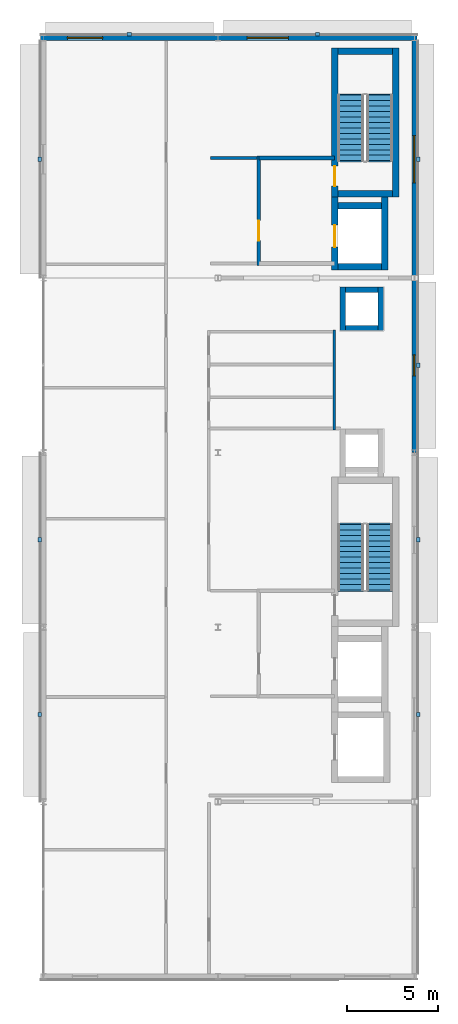
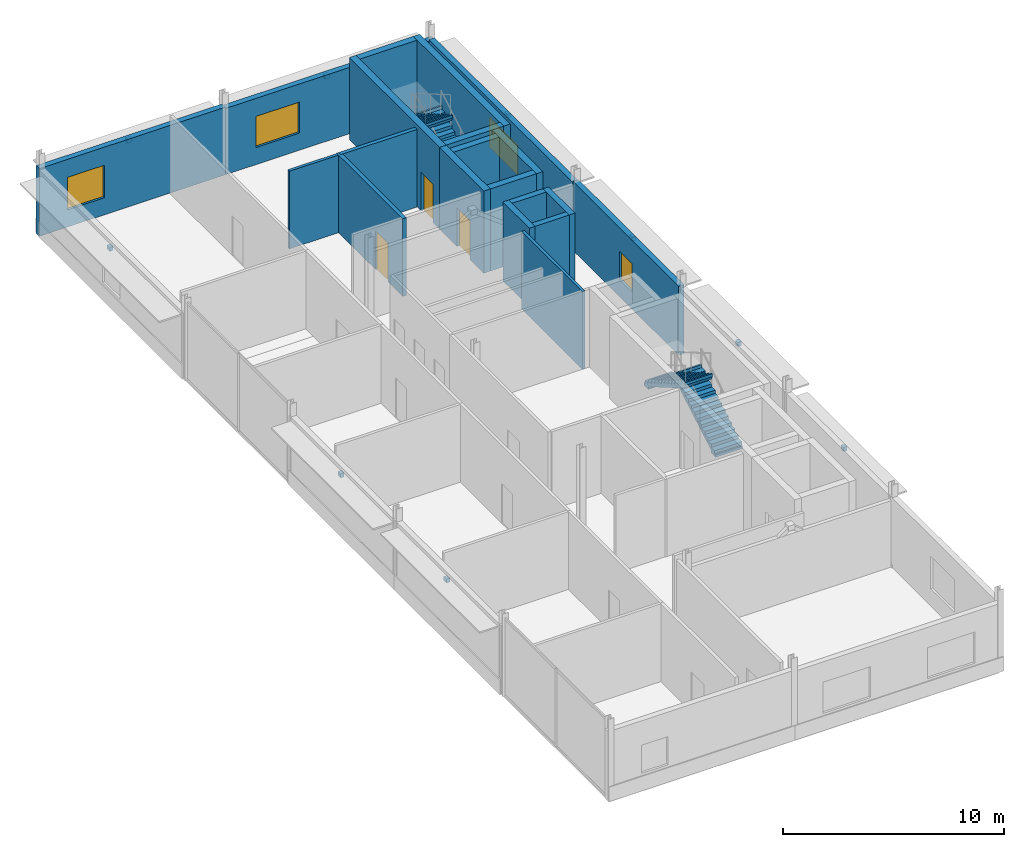
# One storey, part 8 of 10: 20 walls, 9 discrete accessories, 4 stair flights, 4 windows, 3 doors, 7 openings, 2 elements without a shape of their own.
"""IFC4 building model written with IfcOpenShell, lengths in metres."""

from ifc_helpers import new_model, si_unit, direction, frame, frame_2d, origin, origin_2d, place, context, subcontext, project, spatial, polyline, rectangle, outline, extrude, material, layer, layer_set, type_object, element, fill, aggregate, save


model = new_model("IFC4")

# Units and contexts
model_context = context("Model", 3, precision=1e-05, world=origin(), true_north=direction((0.0, 1.0)))
body_context = subcontext(model_context, "Body", "Model", "MODEL_VIEW")
ifc_project = project(units=[si_unit("LENGTHUNIT", "METRE"), si_unit("AREAUNIT", "SQUARE_METRE"), si_unit("VOLUMEUNIT", "CUBIC_METRE"), si_unit("PLANEANGLEUNIT", "RADIAN"), si_unit("MASSUNIT", "GRAM", prefix="KILO")], contexts=[model_context])

# Site, building, storey
site_placement = place(None, origin())
site = spatial("IfcSite", under=ifc_project, at=site_placement, CompositionType="ELEMENT")
building_placement = place(site_placement, origin())
building = spatial("IfcBuilding", under=site, at=building_placement, Name="Almandine Court Research Institute", CompositionType="ELEMENT")
storey_placement = place(building_placement, frame((0.0, 0.0, 41.64990234375)))
storey = spatial("IfcBuildingStorey", under=building, at=storey_placement, Name="L09", CompositionType="ELEMENT", Elevation=41.64990234375)

# Wall, opening, window
ifc_material_1 = material(Name="Insulated Ochre Terracotta Rainscreen Wall", Category="masonry")
ifc_layer_1 = layer(ifc_material_1, 0.2900390625)
ifc_layer_set_1 = layer_set([ifc_layer_1], Name="Insulated Ochre Terracotta Rainscreen Wall")
wall_type_1 = type_object("IfcWallType", Name="Wall-EXT-TERR-290", PredefinedType="SOLIDWALL", material=ifc_layer_set_1)
wall_1_placement = place(storey_placement, frame((153.455078125, 57.60009765625, 0.0), z_axis=(0.0, 0.0, 1.0), x_axis=(1.0, 0.0, 0.0)))
wall_1 = element("IfcWall", 1, at=wall_1_placement, inside=storey, type_object=wall_type_1, Name="L09 Wet Lab North Wall 1", PredefinedType="SOLIDWALL", context=body_context, shape_type="SweptSolid", body=[
    extrude(rectangle(XDim=9.740966796875, YDim=0.2900390625, at=frame_2d((4.87060546875, 0.0))), origin(), (0.0, 0.0, 1.0), 3.748046875),
])
opening_1_placement = place(wall_1_placement, frame((1.469970703125, 0.0, 0.949951171875)))
opening_1 = element("IfcOpeningElement", 2, at=opening_1_placement, cuts=wall_1, Name="Opening WN-82", PredefinedType="OPENING", context=body_context, shape_type="SweptSolid", body=[
    extrude(rectangle(XDim=1.929931640625, YDim=1.800048828125, at=frame_2d((0.96484375, 0.89990234375))), frame((0.0, 0.155029296875, 0.0), z_axis=(0.0, -1.0, 0.0), x_axis=(1.0, 0.0, 0.0)), (0.0, 0.0, 1.0), 0.31005859375),
])
ifc_material_2 = material(Name="Thermally Broken Low-E Double-Glazed Window", Category="glass")
window_type_1 = type_object("IfcWindowType", Name="Win-WN-82-1930x1800", PartitioningType="SINGLE_PANEL", PredefinedType="WINDOW", material=ifc_material_2)
window_1_placement = place(opening_1_placement, origin())
window_1 = element("IfcWindow", 3, at=window_1_placement, inside=storey, type_object=window_type_1, Name="L09 Modular Recessed Low-E Window 195", OverallHeight=1.800048828125, OverallWidth=1.929931640625, PartitioningType="SINGLE_PANEL", PredefinedType="WINDOW", context=body_context, shape_type="SweptSolid", body=[
    extrude(rectangle(XDim=1.929931640625, YDim=1.800048828125, at=frame_2d((0.96484375, 0.89990234375))), frame((0.0, 0.030029296875, 0.0), z_axis=(0.0, -1.0, 0.0), x_axis=(1.0, 0.0, 0.0)), (0.0, 0.0, 1.0), 0.06005859375),
])
fill(opening_1, window_1)

wall_2_placement = place(storey_placement, frame((163.2041015625, 57.60009765625, 0.0), z_axis=(0.0, 0.0, 1.0), x_axis=(1.0, 0.0, 0.0)))
wall_2 = element("IfcWall", 4, at=wall_2_placement, inside=storey, type_object=wall_type_1, Name="L09 Wet Lab North Wall 2", PredefinedType="SOLIDWALL", context=body_context, shape_type="SweptSolid", body=[
    extrude(rectangle(XDim=10.94091796875, YDim=0.2900390625, at=frame_2d((5.470458984375, 0.0))), origin(), (0.0, 0.0, 1.0), 3.670166015625),
])
opening_2_placement = place(wall_2_placement, frame((1.60498046875, 0.0, 0.949951171875)))
opening_2 = element("IfcOpeningElement", 5, at=opening_2_placement, cuts=wall_2, Name="Opening WN-07", PredefinedType="OPENING", context=body_context, shape_type="SweptSolid", body=[
    extrude(rectangle(XDim=2.260009765625, YDim=1.719970703125, at=frame_2d((1.1298828125, 0.85986328125))), frame((0.0, 0.155029296875, 0.0), z_axis=(0.0, -1.0, 0.0), x_axis=(1.0, 0.0, 0.0)), (0.0, 0.0, 1.0), 0.31005859375),
])
window_type_2 = type_object("IfcWindowType", Name="Win-WN-07-2260x1720", PartitioningType="SINGLE_PANEL", PredefinedType="WINDOW", material=ifc_material_2)
window_2_placement = place(opening_2_placement, origin())
window_2 = element("IfcWindow", 6, at=window_2_placement, inside=storey, type_object=window_type_2, Name="L09 Modular Recessed Low-E Window 196", OverallHeight=1.719970703125, OverallWidth=2.260009765625, PartitioningType="SINGLE_PANEL", PredefinedType="WINDOW", context=body_context, shape_type="SweptSolid", body=[
    extrude(rectangle(XDim=2.260009765625, YDim=1.719970703125, at=frame_2d((1.1298828125, 0.85986328125))), frame((0.0, 0.030029296875, 0.0), z_axis=(0.0, -1.0, 0.0), x_axis=(1.0, 0.0, 0.0)), (0.0, 0.0, 1.0), 0.06005859375),
])
fill(opening_2, window_2)

wall_3_placement = place(storey_placement, frame((174.0, 57.450927734375, 0.0), z_axis=(0.0, 0.0, 1.0), x_axis=(0.0, -1.0, 0.0)))
wall_3 = element("IfcWall", 7, at=wall_3_placement, inside=storey, type_object=wall_type_1, Name="L09 Wet Lab East Facade Wall 5", PredefinedType="SOLIDWALL", context=body_context, shape_type="SweptSolid", body=[
    extrude(rectangle(XDim=13.046875, YDim=0.2900390625, at=frame_2d((6.5234375, 0.0))), origin(), (0.0, 0.0, 1.0), 3.754150390625),
])
opening_3_placement = place(wall_3_placement, frame((5.22802734375, 0.0, 0.949951171875)))
opening_3 = element("IfcOpeningElement", 8, at=opening_3_placement, cuts=wall_3, Name="Opening WN-72", PredefinedType="OPENING", context=body_context, shape_type="SweptSolid", body=[
    extrude(rectangle(XDim=2.590087890625, YDim=1.639892578125, at=frame_2d((1.294921875, 0.81982421875))), frame((0.0, 0.155029296875, 0.0), z_axis=(0.0, -1.0, 0.0), x_axis=(1.0, 0.0, 0.0)), (0.0, 0.0, 1.0), 0.31005859375),
])
window_type_3 = type_object("IfcWindowType", Name="Win-WN-72-2590x1640", PartitioningType="SINGLE_PANEL", PredefinedType="WINDOW", material=ifc_material_2)
window_3_placement = place(opening_3_placement, origin())
window_3 = element("IfcWindow", 9, at=window_3_placement, inside=storey, type_object=window_type_3, Name="L09 Modular Recessed Low-E Window 197", OverallHeight=1.639892578125, OverallWidth=2.590087890625, PartitioningType="SINGLE_PANEL", PredefinedType="WINDOW", context=body_context, shape_type="SweptSolid", body=[
    extrude(rectangle(XDim=2.590087890625, YDim=1.639892578125, at=frame_2d((1.294921875, 0.81982421875))), frame((0.0, 0.030029296875, 0.0), z_axis=(0.0, -1.0, 0.0), x_axis=(1.0, 0.0, 0.0)), (0.0, 0.0, 1.0), 0.06005859375),
])
fill(opening_3, window_3)

wall_4_placement = place(storey_placement, frame((174.0, 44.39599609375, 0.0), z_axis=(0.0, 0.0, 1.0), x_axis=(0.0, -1.0, 0.0)))
wall_4 = element("IfcWall", 10, at=wall_4_placement, inside=storey, type_object=wall_type_1, Name="L09 Wet Lab East Facade Wall 4", PredefinedType="SOLIDWALL", context=body_context, shape_type="SweptSolid", body=[
    extrude(rectangle(XDim=9.592041015625, YDim=0.2900390625, at=frame_2d((4.7958984375, 0.0))), origin(), (0.0, 0.0, 1.0), 3.822021484375),
])
opening_4_placement = place(wall_4_placement, frame((4.216064453125, 0.0, 0.949951171875)))
opening_4 = element("IfcOpeningElement", 11, at=opening_4_placement, cuts=wall_4, Name="Opening WN-08", PredefinedType="OPENING", context=body_context, shape_type="SweptSolid", body=[
    extrude(rectangle(XDim=1.159912109375, YDim=1.56005859375, at=frame_2d((0.580078125, 0.780029296875))), frame((0.0, 0.155029296875, 0.0), z_axis=(0.0, -1.0, 0.0), x_axis=(1.0, 0.0, 0.0)), (0.0, 0.0, 1.0), 0.31005859375),
])
window_type_4 = type_object("IfcWindowType", Name="Win-WN-08-1160x1560", PartitioningType="SINGLE_PANEL", PredefinedType="WINDOW", material=ifc_material_2)
window_4_placement = place(opening_4_placement, origin())
window_4 = element("IfcWindow", 12, at=window_4_placement, inside=storey, type_object=window_type_4, Name="L09 Modular Recessed Low-E Window 198", OverallHeight=1.56005859375, OverallWidth=1.159912109375, PartitioningType="SINGLE_PANEL", PredefinedType="WINDOW", context=body_context, shape_type="SweptSolid", body=[
    extrude(rectangle(XDim=1.159912109375, YDim=1.56005859375, at=frame_2d((0.580078125, 0.780029296875))), frame((0.0, 0.030029296875, 0.0), z_axis=(0.0, -1.0, 0.0), x_axis=(1.0, 0.0, 0.0)), (0.0, 0.0, 1.0), 0.06005859375),
])
fill(opening_4, window_4)

# Wall, opening, door
ifc_material_3 = material(Name="Two-Hour Fire-Barrier Enclosure Wall")
ifc_layer_2 = layer(ifc_material_3, 0.199951171875)
ifc_layer_set_2 = layer_set([ifc_layer_2], Name="Two-Hour Fire-Barrier Enclosure Wall")
wall_type_2 = type_object("IfcWallType", Name="Wall-FIRE-200", PredefinedType="SOLIDWALL", material=ifc_layer_set_2)
wall_5_placement = place(storey_placement, frame((165.449951171875, 45.10009765625, 0.0), z_axis=(0.0, 0.0, 1.0), x_axis=(0.0, 1.0, 0.0)))
wall_5 = element("IfcWall", 13, at=wall_5_placement, inside=storey, type_object=wall_type_2, Name="L09 Interior Partition W-FFL2-L09-W", PredefinedType="SOLIDWALL", context=body_context, shape_type="SweptSolid", body=[
    extrude(rectangle(XDim=6.0, YDim=0.199951171875, at=frame_2d((3.0, 0.0))), origin(), (0.0, 0.0, 1.0), 4.300048828125),
])
opening_5_placement = place(wall_5_placement, frame((1.35009765625, 0.0, 0.0)))
opening_5 = element("IfcOpeningElement", 14, at=opening_5_placement, cuts=wall_5, Name="Opening FD-FFL", PredefinedType="OPENING", context=body_context, shape_type="SweptSolid", body=[
    extrude(rectangle(XDim=1.10009765625, YDim=2.14990234375, at=frame_2d((0.550048828125, 1.074951171875))), frame((0.0, 0.10986328125, 0.0), z_axis=(0.0, -1.0, 0.0), x_axis=(1.0, 0.0, 0.0)), (0.0, 0.0, 1.0), 0.219970703125),
])
ifc_material_4 = material(Name="Smoke-Tight Firefighting Lobby Fire Door")
door_type_1 = type_object("IfcDoorType", Name="Door-FD-FFL-1100", OperationType="NOTDEFINED", PredefinedType="DOOR", material=ifc_material_4)
door_1_placement = place(opening_5_placement, origin())
door_1 = element("IfcDoor", 15, at=door_1_placement, inside=storey, type_object=door_type_1, Name="L09 Firefighting Lobby Fire Door 2", OperationType="SINGLE_SWING_LEFT", OverallHeight=2.14990234375, OverallWidth=1.10009765625, PredefinedType="DOOR", context=body_context, shape_type="SweptSolid", body=[
    extrude(rectangle(XDim=1.10009765625, YDim=2.14990234375, at=frame_2d((0.550048828125, 1.074951171875))), frame((0.0, 0.02490234375, 0.0), z_axis=(0.0, -1.0, 0.0), x_axis=(1.0, 0.0, 0.0)), (0.0, 0.0, 1.0), 0.050048828125),
])
fill(opening_5, door_1)

# Walls
wall_6_placement = place(storey_placement, frame((165.449951171875, 51.0, 0.0), z_axis=(0.0, 0.0, 1.0), x_axis=(1.0, 0.0, 0.0)))
element("IfcWall", 16, at=wall_6_placement, inside=storey, type_object=wall_type_2, Name="L09 Interior Partition W-FFL2-L09-N", PredefinedType="SOLIDWALL", context=body_context, shape_type="SweptSolid", body=[
    extrude(rectangle(XDim=4.150146484375, YDim=0.199951171875, at=frame_2d((2.0751953125, 0.0))), origin(), (0.0, 0.0, 1.0), 4.300048828125),
])
ifc_material_5 = material(Name="Acoustic Steel-Stud Gypsum Partition Wall", Category="steel")
ifc_layer_3 = layer(ifc_material_5, 0.14990234375)
ifc_layer_set_3 = layer_set([ifc_layer_3], Name="Acoustic Steel-Stud Gypsum Partition Wall")
wall_type_3 = type_object("IfcWallType", Name="Wall-PART-150", PredefinedType="PARTITIONING", material=ifc_layer_set_3)
wall_7_placement = place(storey_placement, frame((169.60009765625, 36.050048828125, 0.0), z_axis=(0.0, 0.0, 1.0), x_axis=(0.0, 1.0, 0.0)))
element("IfcWall", 17, at=wall_7_placement, inside=storey, type_object=wall_type_3, Name="L09 Interior Partition W-V4-L09-WCEAST", PredefinedType="PARTITIONING", context=body_context, shape_type="SweptSolid", body=[
    extrude(rectangle(XDim=5.5, YDim=0.14990234375, at=frame_2d((2.75, 0.0))), origin(), (0.0, 0.0, 1.0), 4.300048828125),
])
wall_8_placement = place(storey_placement, frame((162.780029296875, 51.0, 0.0), z_axis=(0.0, 0.0, 1.0), x_axis=(1.0, 0.0, 0.0)))
element("IfcWall", 18, at=wall_8_placement, inside=storey, type_object=wall_type_3, Name="L09 Interior Partition W-V4-L09-FFL2-CN", PredefinedType="PARTITIONING", context=body_context, shape_type="SweptSolid", body=[
    extrude(rectangle(XDim=2.570068359375, YDim=0.14990234375, at=frame_2d((1.28515625, 0.0))), origin(), (0.0, 0.0, 1.0), 4.300048828125),
])
ifc_material_6 = material(Name="Concrete C40/50", Category="concrete")
ifc_layer_4 = layer(ifc_material_6, 0.300048828125)
ifc_layer_set_4 = layer_set([ifc_layer_4], Name="Concrete C40/50")
wall_type_4 = type_object("IfcWallType", Name="Wall-SW-CORE-300", PredefinedType="SHEAR", material=ifc_layer_set_4)
wall_9_placement = place(storey_placement, frame((170.050048828125, 41.5, 0.0), z_axis=(0.0, 0.0, 1.0), x_axis=(0.0, 1.0, 0.0)))
element("IfcWall", 19, at=wall_9_placement, inside=storey, type_object=wall_type_4, Name="L09 MEP Riser RS-V4B W Shear Wall", PredefinedType="SHEAR", context=body_context, shape_type="SweptSolid", body=[
    extrude(rectangle(XDim=2.39990234375, YDim=0.300048828125, at=frame_2d((1.199951171875, 0.0))), origin(), (0.0, 0.0, 1.0), 4.3701171875),
])
wall_10_placement = place(storey_placement, frame((170.199951171875, 43.75, 0.0), z_axis=(0.0, 0.0, 1.0), x_axis=(1.0, 0.0, 0.0)))
element("IfcWall", 20, at=wall_10_placement, inside=storey, type_object=wall_type_4, Name="L09 MEP Riser RS-V4B N Shear Wall", PredefinedType="SHEAR", context=body_context, shape_type="SweptSolid", body=[
    extrude(rectangle(XDim=1.800048828125, YDim=0.300048828125, at=frame_2d((0.89990234375, 0.0))), origin(), (0.0, 0.0, 1.0), 4.3701171875),
])
wall_11_placement = place(storey_placement, frame((172.14990234375, 43.89990234375, 0.0), z_axis=(0.0, 0.0, 1.0), x_axis=(0.0, -1.0, 0.0)))
element("IfcWall", 21, at=wall_11_placement, inside=storey, type_object=wall_type_4, Name="L09 MEP Riser RS-V4B E Shear Wall", PredefinedType="SHEAR", context=body_context, shape_type="SweptSolid", body=[
    extrude(rectangle(XDim=2.39990234375, YDim=0.300048828125, at=frame_2d((1.199951171875, 0.0))), origin(), (0.0, 0.0, 1.0), 4.3701171875),
])
wall_12_placement = place(storey_placement, frame((172.0, 41.64990234375, 0.0), z_axis=(0.0, 0.0, 1.0), x_axis=(-1.0, 0.0, 0.0)))
element("IfcWall", 22, at=wall_12_placement, inside=storey, type_object=wall_type_4, Name="L09 MEP Riser RS-V4B S Shear Wall", PredefinedType="SHEAR", context=body_context, shape_type="SweptSolid", body=[
    extrude(rectangle(XDim=1.800048828125, YDim=0.300048828125, at=frame_2d((0.89990234375, 0.0))), origin(), (0.0, 0.0, 1.0), 4.3701171875),
])

# Wall, opening, door
ifc_layer_5 = layer(ifc_material_6, 0.35009765625)
ifc_layer_set_5 = layer_set([ifc_layer_5], Name="Concrete C40/50")
wall_type_5 = type_object("IfcWallType", Name="Wall-SW-CORE-350", PredefinedType="SHEAR", material=ifc_layer_set_5)
wall_13_placement = place(storey_placement, frame((169.625, 48.85009765625, 0.0), z_axis=(0.0, 0.0, 1.0), x_axis=(0.0, 1.0, 0.0)))
wall_13 = element("IfcWall", 23, at=wall_13_placement, inside=storey, type_object=wall_type_5, Name="L09 ST-08 W Shear Wall", PredefinedType="SHEAR", context=body_context, shape_type="SweptSolid", body=[
    extrude(rectangle(XDim=8.199951171875, YDim=0.35009765625, at=frame_2d((4.10009765625, 0.0))), origin(), (0.0, 0.0, 1.0), 4.550048828125),
])
opening_6_placement = place(wall_13_placement, frame((0.60009765625, 0.0, 0.0)))
opening_6 = element("IfcOpeningElement", 24, at=opening_6_placement, cuts=wall_13, Name="Opening FD-STAIR", PredefinedType="OPENING", context=body_context, shape_type="SweptSolid", body=[
    extrude(rectangle(XDim=1.10009765625, YDim=2.14990234375, at=frame_2d((0.550048828125, 1.074951171875))), frame((0.0, 0.18505859375, 0.0), z_axis=(0.0, -1.0, 0.0), x_axis=(1.0, 0.0, 0.0)), (0.0, 0.0, 1.0), 0.3701171875),
])
ifc_material_7 = material(Name="Self-Closing Steel Exit Stair Fire Door", Category="steel")
door_type_2 = type_object("IfcDoorType", Name="Door-FD-STAIR-1100", OperationType="NOTDEFINED", PredefinedType="DOOR", material=ifc_material_7)
door_2_placement = place(opening_6_placement, origin())
door_2 = element("IfcDoor", 25, at=door_2_placement, inside=storey, type_object=door_type_2, Name="L09 Exit Stair ST-08 Fire Door", OperationType="SINGLE_SWING_RIGHT", OverallHeight=2.14990234375, OverallWidth=1.10009765625, PredefinedType="DOOR", context=body_context, shape_type="SweptSolid", body=[
    extrude(rectangle(XDim=1.10009765625, YDim=2.14990234375, at=frame_2d((0.550048828125, 1.074951171875))), frame((0.0, 0.02490234375, 0.0), z_axis=(0.0, -1.0, 0.0), x_axis=(1.0, 0.0, 0.0)), (0.0, 0.0, 1.0), 0.050048828125),
])
fill(opening_6, door_2)

# Walls
wall_14_placement = place(storey_placement, frame((169.800048828125, 56.875, 0.0), z_axis=(0.0, 0.0, 1.0), x_axis=(1.0, 0.0, 0.0)))
element("IfcWall", 26, at=wall_14_placement, inside=storey, type_object=wall_type_5, Name="L09 ST-08 N Shear Wall", PredefinedType="SHEAR", context=body_context, shape_type="SweptSolid", body=[
    extrude(rectangle(XDim=3.0, YDim=0.35009765625, at=frame_2d((1.5, 0.0))), origin(), (0.0, 0.0, 1.0), 4.550048828125),
])
wall_15_placement = place(storey_placement, frame((172.97509765625, 57.050048828125, 0.0), z_axis=(0.0, 0.0, 1.0), x_axis=(0.0, -1.0, 0.0)))
element("IfcWall", 27, at=wall_15_placement, inside=storey, type_object=wall_type_5, Name="L09 ST-08 E Shear Wall", PredefinedType="SHEAR", context=body_context, shape_type="SweptSolid", body=[
    extrude(rectangle(XDim=8.199951171875, YDim=0.35009765625, at=frame_2d((4.10009765625, 0.0))), origin(), (0.0, 0.0, 1.0), 4.550048828125),
])
wall_16_placement = place(storey_placement, frame((172.800048828125, 49.02490234375, 0.0), z_axis=(0.0, 0.0, 1.0), x_axis=(-1.0, 0.0, 0.0)))
element("IfcWall", 28, at=wall_16_placement, inside=storey, type_object=wall_type_5, Name="L09 ST-08 S Shear Wall", PredefinedType="SHEAR", context=body_context, shape_type="SweptSolid", body=[
    extrude(rectangle(XDim=3.0, YDim=0.35009765625, at=frame_2d((1.5, 0.0))), origin(), (0.0, 0.0, 1.0), 4.550048828125),
])

# Wall, opening, door
wall_17_placement = place(storey_placement, frame((169.625, 44.85009765625, 0.0), z_axis=(0.0, 0.0, 1.0), x_axis=(0.0, 1.0, 0.0)))
wall_17 = element("IfcWall", 29, at=wall_17_placement, inside=storey, type_object=wall_type_5, Name="L09 FL-02 Hoistway W Shear Wall", PredefinedType="SHEAR", context=body_context, shape_type="SweptSolid", body=[
    extrude(rectangle(XDim=4.0, YDim=0.35009765625, at=frame_2d((2.0, 0.0))), origin(), (0.0, 0.0, 1.0), 4.550048828125),
])
opening_7_placement = place(wall_17_placement, frame((1.25, 0.0, 0.0)))
opening_7 = element("IfcOpeningElement", 30, at=opening_7_placement, cuts=wall_17, Name="Opening LD-02", PredefinedType="OPENING", context=body_context, shape_type="SweptSolid", body=[
    extrude(rectangle(XDim=1.199951171875, YDim=2.14990234375, at=frame_2d((0.60009765625, 1.074951171875))), frame((0.0, 0.18505859375, 0.0), z_axis=(0.0, -1.0, 0.0), x_axis=(1.0, 0.0, 0.0)), (0.0, 0.0, 1.0), 0.3701171875),
])
ifc_material_8 = material(Name="Firefighting Lift Landing Sliding Door")
door_type_3 = type_object("IfcDoorType", Name="Door-LD-FSAE-1200", OperationType="SLIDING_TO_LEFT", PredefinedType="USERDEFINED", material=ifc_material_8)
door_3_placement = place(opening_7_placement, origin())
door_3 = element("IfcDoor", 31, at=door_3_placement, inside=storey, type_object=door_type_3, Name="L09 Firefighting Lift FL-02 Sliding Landing Door", ObjectType="LANDING DOOR", OperationType="SLIDING_TO_LEFT", OverallHeight=2.14990234375, OverallWidth=1.199951171875, PredefinedType="USERDEFINED", context=body_context, shape_type="SweptSolid", body=[
    extrude(rectangle(XDim=1.199951171875, YDim=2.14990234375, at=frame_2d((0.60009765625, 1.074951171875))), frame((0.0, 0.02490234375, 0.0), z_axis=(0.0, -1.0, 0.0), x_axis=(1.0, 0.0, 0.0)), (0.0, 0.0, 1.0), 0.050048828125),
])
fill(opening_7, door_3)

# Walls
wall_18_placement = place(storey_placement, frame((169.800048828125, 48.375, 0.0), z_axis=(0.0, 0.0, 1.0), x_axis=(1.0, 0.0, 0.0)))
element("IfcWall", 32, at=wall_18_placement, inside=storey, type_object=wall_type_5, Name="L09 FL-02 Hoistway N Shear Wall", PredefinedType="SHEAR", context=body_context, shape_type="SweptSolid", body=[
    extrude(rectangle(XDim=2.39990234375, YDim=0.35009765625, at=frame_2d((1.199951171875, 0.0))), origin(), (0.0, 0.0, 1.0), 4.550048828125),
])
wall_19_placement = place(storey_placement, frame((172.375, 48.85009765625, 0.0), z_axis=(0.0, 0.0, 1.0), x_axis=(0.0, -1.0, 0.0)))
element("IfcWall", 33, at=wall_19_placement, inside=storey, type_object=wall_type_5, Name="L09 FL-02 Hoistway E Shear Wall", PredefinedType="SHEAR", context=body_context, shape_type="SweptSolid", body=[
    extrude(rectangle(XDim=4.0, YDim=0.35009765625, at=frame_2d((2.0, 0.0))), origin(), (0.0, 0.0, 1.0), 4.550048828125),
])
wall_20_placement = place(storey_placement, frame((172.199951171875, 45.02490234375, 0.0), z_axis=(0.0, 0.0, 1.0), x_axis=(-1.0, 0.0, 0.0)))
element("IfcWall", 34, at=wall_20_placement, inside=storey, type_object=wall_type_5, Name="L09 FL-02 Hoistway S Shear Wall", PredefinedType="SHEAR", context=body_context, shape_type="SweptSolid", body=[
    extrude(rectangle(XDim=2.39990234375, YDim=0.35009765625, at=frame_2d((1.199951171875, 0.0))), origin(), (0.0, 0.0, 1.0), 4.550048828125),
])

# Stair, stair flights
ifc_material_9 = material(Name="Concrete C35/45", Category="concrete")
stair_type = type_object("IfcStairType", Name="Stair-Core-26R", PredefinedType="HALF_TURN_STAIR", material=ifc_material_9)
stair_1_placement = place(storey_placement, origin())
stair_1 = element("IfcStair", 35, at=stair_1_placement, inside=storey, type_object=stair_type, Name="L09 Wet Lab South High-Rise Core Stair", PredefinedType="HALF_TURN_STAIR")
stair_flight_type = type_object("IfcStairFlightType", Name="Flight-Core-26R", PredefinedType="STRAIGHT", material=ifc_material_9)
stair_flight_1_placement = place(storey_placement, frame((172.090087890625, 27.25, 0.0), z_axis=(0.0, 0.0, 1.0), x_axis=(0.0, 1.0, 0.0)))
stair_flight_1 = element("IfcStairFlight", 36, at=stair_flight_1_placement, type_object=stair_flight_type, Name="ST-07 flight 1", NumberOfRisers=13, NumberOfTreads=12, PredefinedType="STRAIGHT", RiserHeight=0.175, TreadLength=0.3, context=body_context, shape_type="SweptSolid", body=[
    extrude(outline(polyline([(-0.080078125, -0.139892578125), (-0.080078125, 0.0), (0.0, 0.0), (0.0, 0.175048828125), (0.300048828125, 0.175048828125), (0.300048828125, 0.35009765625), (0.60009765625, 0.35009765625), (0.60009765625, 0.52490234375), (0.89990234375, 0.52490234375), (0.89990234375, 0.699951171875), (1.199951171875, 0.699951171875), (1.199951171875, 0.875), (1.5, 0.875), (1.5, 1.050048828125), (1.800048828125, 1.050048828125), (1.800048828125, 1.22509765625), (2.10009765625, 1.22509765625), (2.10009765625, 1.39990234375), (2.39990234375, 1.39990234375), (2.39990234375, 1.574951171875), (2.699951171875, 1.574951171875), (2.699951171875, 1.75), (3.0, 1.75), (3.0, 1.925048828125), (3.300048828125, 1.925048828125), (3.300048828125, 2.10009765625), (3.60009765625, 2.10009765625), (3.60009765625, 2.27490234375), (3.679931640625, 2.27490234375), (3.679931640625, 2.114990234375), (3.60009765625, 1.914794921875), (0.3173828125, 0.0), (0.3173828125, -0.139892578125), (-0.080078125, -0.139892578125)])), frame((0.0, 0.7099609375, 0.0), z_axis=(0.0, -1.0, 0.0), x_axis=(1.0, 0.0, 0.0)), (0.0, 0.0, 1.0), 1.419921875),
])
stair_flight_2_placement = place(storey_placement, frame((170.510009765625, 30.85009765625, 2.275146484375), z_axis=(0.0, 0.0, 1.0), x_axis=(0.0, -1.0, 0.0)))
stair_flight_2 = element("IfcStairFlight", 37, at=stair_flight_2_placement, type_object=stair_flight_type, Name="ST-07 flight 2", NumberOfRisers=13, NumberOfTreads=12, PredefinedType="STRAIGHT", RiserHeight=0.175, TreadLength=0.3, context=body_context, shape_type="SweptSolid", body=[
    extrude(outline(polyline([(-0.080078125, -0.139892578125), (-0.080078125, 0.0), (0.0, 0.0), (0.0, 0.175048828125), (0.300048828125, 0.175048828125), (0.300048828125, 0.35009765625), (0.60009765625, 0.35009765625), (0.60009765625, 0.52490234375), (0.89990234375, 0.52490234375), (0.89990234375, 0.699951171875), (1.199951171875, 0.699951171875), (1.199951171875, 0.875), (1.5, 0.875), (1.5, 1.050048828125), (1.800048828125, 1.050048828125), (1.800048828125, 1.22509765625), (2.10009765625, 1.22509765625), (2.10009765625, 1.39990234375), (2.39990234375, 1.39990234375), (2.39990234375, 1.574951171875), (2.699951171875, 1.574951171875), (2.699951171875, 1.75), (3.0, 1.75), (3.0, 1.925048828125), (3.300048828125, 1.925048828125), (3.300048828125, 2.10009765625), (3.60009765625, 2.10009765625), (3.60009765625, 2.27490234375), (3.679931640625, 2.27490234375), (3.679931640625, 2.114990234375), (3.60009765625, 1.914794921875), (0.3173828125, 0.0), (0.3173828125, -0.139892578125), (-0.080078125, -0.139892578125)])), frame((0.0, 0.7099609375, 0.0), z_axis=(0.0, -1.0, 0.0), x_axis=(1.0, 0.0, 0.0)), (0.0, 0.0, 1.0), 1.419921875),
])
aggregate(stair_1, [stair_flight_1, stair_flight_2])

stair_2_placement = place(storey_placement, origin())
stair_2 = element("IfcStair", 38, at=stair_2_placement, inside=storey, type_object=stair_type, Name="L09 Wet Lab Central High-Rise Core Stair", PredefinedType="HALF_TURN_STAIR")
stair_flight_3_placement = place(storey_placement, frame((172.090087890625, 50.85009765625, 0.0), z_axis=(0.0, 0.0, 1.0), x_axis=(0.0, 1.0, 0.0)))
stair_flight_3 = element("IfcStairFlight", 39, at=stair_flight_3_placement, type_object=stair_flight_type, Name="ST-08 flight 1", NumberOfRisers=13, NumberOfTreads=12, PredefinedType="STRAIGHT", RiserHeight=0.175, TreadLength=0.3, context=body_context, shape_type="SweptSolid", body=[
    extrude(outline(polyline([(-0.080078125, -0.139892578125), (-0.080078125, 0.0), (0.0, 0.0), (0.0, 0.175048828125), (0.300048828125, 0.175048828125), (0.300048828125, 0.35009765625), (0.60009765625, 0.35009765625), (0.60009765625, 0.52490234375), (0.89990234375, 0.52490234375), (0.89990234375, 0.699951171875), (1.199951171875, 0.699951171875), (1.199951171875, 0.875), (1.5, 0.875), (1.5, 1.050048828125), (1.800048828125, 1.050048828125), (1.800048828125, 1.22509765625), (2.10009765625, 1.22509765625), (2.10009765625, 1.39990234375), (2.39990234375, 1.39990234375), (2.39990234375, 1.574951171875), (2.699951171875, 1.574951171875), (2.699951171875, 1.75), (3.0, 1.75), (3.0, 1.925048828125), (3.300048828125, 1.925048828125), (3.300048828125, 2.10009765625), (3.60009765625, 2.10009765625), (3.60009765625, 2.27490234375), (3.679931640625, 2.27490234375), (3.679931640625, 2.114990234375), (3.60009765625, 1.914794921875), (0.3173828125, 0.0), (0.3173828125, -0.139892578125), (-0.080078125, -0.139892578125)])), frame((0.0, 0.7099609375, 0.0), z_axis=(0.0, -1.0, 0.0), x_axis=(1.0, 0.0, 0.0)), (0.0, 0.0, 1.0), 1.419921875),
])
stair_flight_4_placement = place(storey_placement, frame((170.510009765625, 54.449951171875, 2.275146484375), z_axis=(0.0, 0.0, 1.0), x_axis=(0.0, -1.0, 0.0)))
stair_flight_4 = element("IfcStairFlight", 40, at=stair_flight_4_placement, type_object=stair_flight_type, Name="ST-08 flight 2", NumberOfRisers=13, NumberOfTreads=12, PredefinedType="STRAIGHT", RiserHeight=0.175, TreadLength=0.3, context=body_context, shape_type="SweptSolid", body=[
    extrude(outline(polyline([(-0.080078125, -0.139892578125), (-0.080078125, 0.0), (0.0, 0.0), (0.0, 0.175048828125), (0.300048828125, 0.175048828125), (0.300048828125, 0.35009765625), (0.60009765625, 0.35009765625), (0.60009765625, 0.52490234375), (0.89990234375, 0.52490234375), (0.89990234375, 0.699951171875), (1.199951171875, 0.699951171875), (1.199951171875, 0.875), (1.5, 0.875), (1.5, 1.050048828125), (1.800048828125, 1.050048828125), (1.800048828125, 1.22509765625), (2.10009765625, 1.22509765625), (2.10009765625, 1.39990234375), (2.39990234375, 1.39990234375), (2.39990234375, 1.574951171875), (2.699951171875, 1.574951171875), (2.699951171875, 1.75), (3.0, 1.75), (3.0, 1.925048828125), (3.300048828125, 1.925048828125), (3.300048828125, 2.10009765625), (3.60009765625, 2.10009765625), (3.60009765625, 2.27490234375), (3.679931640625, 2.27490234375), (3.679931640625, 2.114990234375), (3.60009765625, 1.914794921875), (0.3173828125, 0.0), (0.3173828125, -0.139892578125), (-0.080078125, -0.139892578125)])), frame((0.0, 0.7099609375, 0.0), z_axis=(0.0, -1.0, 0.0), x_axis=(1.0, 0.0, 0.0)), (0.0, 0.0, 1.0), 1.419921875),
])
aggregate(stair_2, [stair_flight_3, stair_flight_4])

# Discrete accessories
ifc_material_10 = material(Name="Galvanised Steel Facade Outrigger Bracket", Category="steel")
ifc_layer_6 = layer(ifc_material_10, 0.219970703125)
ifc_layer_set_6 = layer_set([ifc_layer_6], Name="Galvanised Steel Facade Outrigger Bracket")
discrete_accessory_type = type_object("IfcDiscreteAccessoryType", Name="Acc-CHJ-BRACKET", PredefinedType="BRACKET", material=ifc_layer_set_6)
for number, where, z_axis, x_axis, name in (
    (41, (153.39501953125, 20.39990234375, 3.40087890625), (0.0, 0.0, 1.0), (0.0, 1.0, 0.0), "L09 Chhajja Outrigger Bracket 167"),
    (42, (153.39501953125, 30.0, 3.40087890625), (0.0, 0.0, 1.0), (0.0, 1.0, 0.0), "L09 Chhajja Outrigger Bracket 168"),
    (43, (153.39501953125, 50.927978515625, 3.25), (0.0, 0.0, 1.0), (0.0, 1.0, 0.0), "L09 Chhajja Outrigger Bracket 169"),
    (44, (158.325927734375, 57.804931640625, 3.31787109375), (0.0, 0.0, 1.0), (1.0, 0.0, 0.0), "L09 Chhajja Outrigger Bracket 170"),
    (45, (168.675048828125, 57.804931640625, 3.240234375), (0.0, 0.0, 1.0), (1.0, 0.0, 0.0), "L09 Chhajja Outrigger Bracket 171"),
    (46, (174.205078125, 50.927978515625, 3.32421875), (0.0, 0.0, 1.0), (0.0, -1.0, 0.0), "L09 Chhajja Outrigger Bracket 172"),
    (47, (174.205078125, 39.60009765625, 3.39208984375), (0.0, 0.0, 1.0), (0.0, -1.0, 0.0), "L09 Chhajja Outrigger Bracket 173"),
    (48, (174.205078125, 30.0, 3.39208984375), (0.0, 0.0, 1.0), (0.0, -1.0, 0.0), "L09 Chhajja Outrigger Bracket 174"),
    (49, (174.205078125, 20.39990234375, 3.39208984375), (0.0, 0.0, 1.0), (0.0, -1.0, 0.0), "L09 Chhajja Outrigger Bracket 175"),
):
    element("IfcDiscreteAccessory", number, at=place(storey_placement, frame(where, z_axis=z_axis, x_axis=x_axis)), inside=storey, type_object=discrete_accessory_type, Name=name, PredefinedType="BRACKET", context=body_context, shape_type="SweptSolid", body=[
        extrude(rectangle(XDim=0.239990234375, YDim=0.179931640625, at=origin_2d()), origin(), (0.0, 0.0, 1.0), 0.219970703125),
    ])

save(model, "model.ifc")
